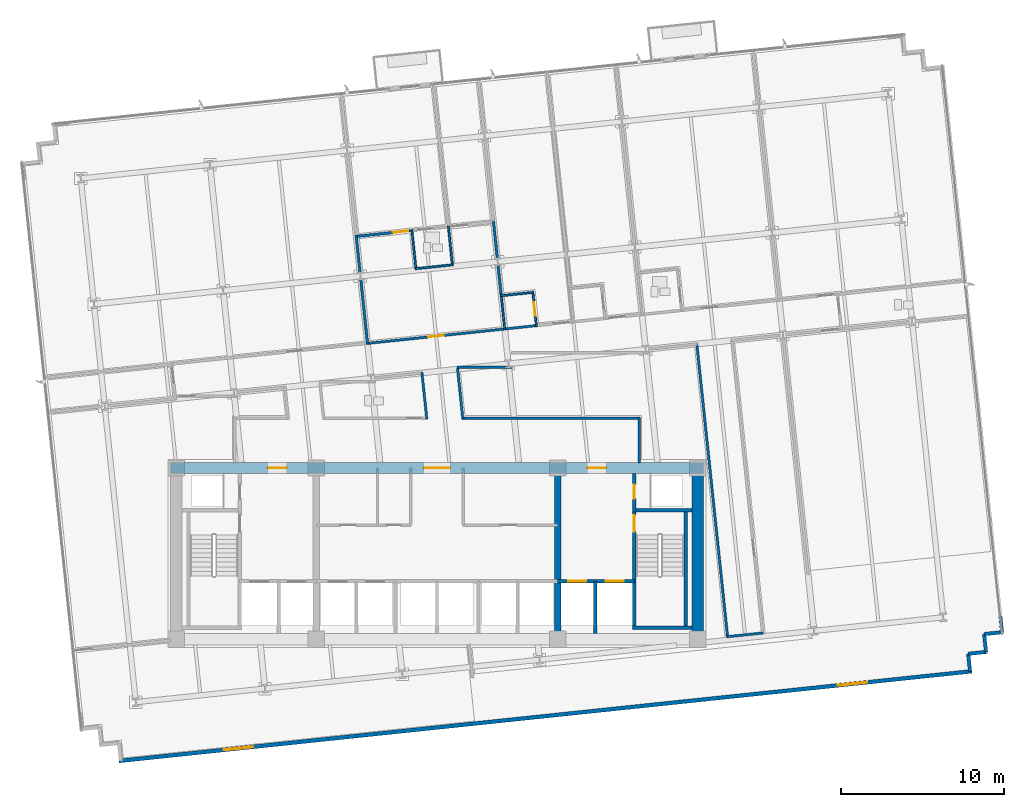
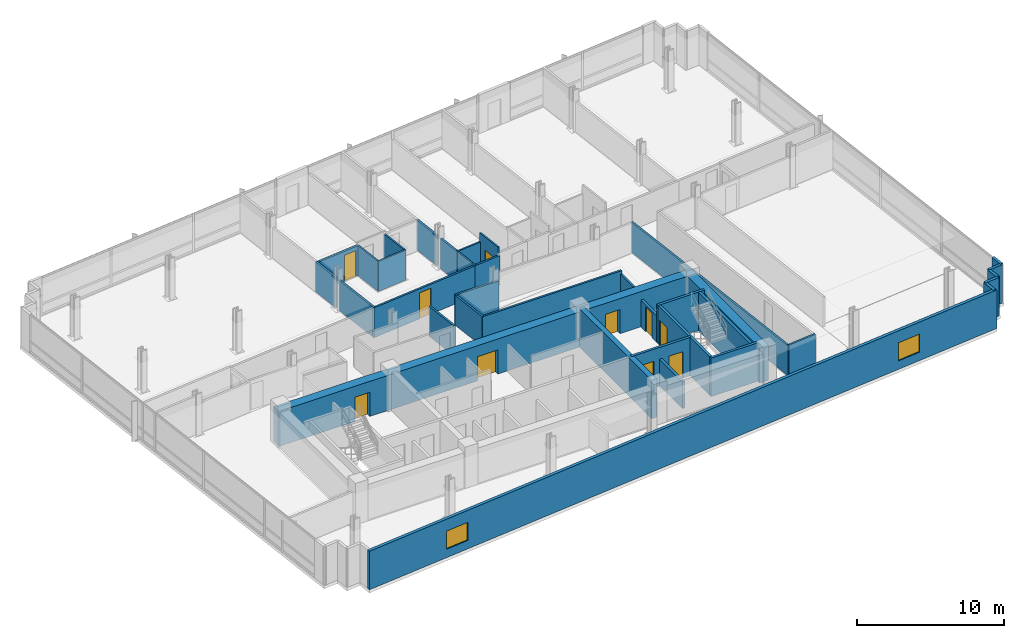
# One storey, part 11 of 17: 36 walls, 10 doors, 2 windows, 12 openings.
"""IFC4 building model written with IfcOpenShell, lengths in metres."""

import ifcopenshell
import ifcopenshell.guid

model = None  # the IFC model being written
_history = None  # IfcOwnerHistory: only IFC2X3 demands one
_inside = {}  # id of a spatial element -> (the spatial element, [elements in it])
_under = {}  # id of a project, library or spatial element -> (it, [spatial elements below it])
_declared = {}  # id of a project -> (the project, [libraries it declares])
_typed = {}  # id of a type object -> (the type object, [elements of that type])
_made_of = {}  # id of a material, layer set ... -> (it, [elements and type objects made of it])


def new_model(schema):
    """Start an empty IFC model of exactly this schema.

    Asked for "IFC4X3", IfcOpenShell would pick the latest addendum, in which some entities
    have other attributes; the version numbers below select the first issue.
    IFC2X3 requires an IfcOwnerHistory on every rooted entity: one is made here for all.
    """
    global model, _history
    if schema == "IFC4X3":
        model = ifcopenshell.file(schema_version=(4, 3, 0, 0))
    else:
        model = ifcopenshell.file(schema=schema)
    _inside.clear()
    _under.clear()
    _declared.clear()
    _typed.clear()
    _made_of.clear()
    _history = None
    if model.schema == "IFC2X3":
        org = make("IfcOrganization", Name="unknown")
        user = make(
            "IfcPersonAndOrganization",
            ThePerson=make("IfcPerson", FamilyName="unknown"),
            TheOrganization=org,
        )
        app = make(
            "IfcApplication",
            ApplicationDeveloper=org,
            Version="unknown",
            ApplicationFullName="unknown",
            ApplicationIdentifier="unknown",
        )
        _history = make(
            "IfcOwnerHistory",
            OwningUser=user,
            OwningApplication=app,
            ChangeAction="ADDED",
            CreationDate=0,
        )
    return model


def make(cls, **values):
    """One entity of the class cls with the attributes given. An attribute that is None is left unset."""
    return model.create_entity(
        cls, **{name: value for name, value in values.items() if value is not None}
    )


def rooted(cls, **values):
    """An entity with a GlobalId (a new one), such as an element, a storey or a relation."""
    return make(cls, GlobalId=ifcopenshell.guid.new(), OwnerHistory=_history, **values)


def si_unit(unit_type, name, prefix=None):
    """IfcSIUnit, for example si_unit("LENGTHUNIT", "METRE", prefix="MILLI")."""
    return make("IfcSIUnit", UnitType=unit_type, Prefix=prefix, Name=name)


def assignment(units):
    """IfcUnitAssignment: the units of a project."""
    return None if units is None else make("IfcUnitAssignment", Units=units)


def point(xyz):
    """IfcCartesianPoint."""
    return None if xyz is None else make("IfcCartesianPoint", Coordinates=xyz)


def direction(xyz):
    """IfcDirection."""
    return None if xyz is None else make("IfcDirection", DirectionRatios=xyz)


def frame(location, z_axis=None, x_axis=None):
    """IfcAxis2Placement3D, a coordinate frame: its origin and axes. An axis left out is left unset."""
    return make(
        "IfcAxis2Placement3D",
        Location=point(location),
        Axis=direction(z_axis),
        RefDirection=direction(x_axis),
    )


def frame_2d(location, x_axis=None):
    """IfcAxis2Placement2D, a coordinate frame in the plane: its origin and x axis."""
    return make(
        "IfcAxis2Placement2D", Location=point(location), RefDirection=direction(x_axis)
    )


def origin():
    """The frame at (0, 0, 0) with its axes left unset."""
    return frame((0.0, 0.0, 0.0))


def place(relative_to, where):
    """IfcLocalPlacement: puts the frame where relative to a parent placement (None: the world)."""
    return make(
        "IfcLocalPlacement", PlacementRelTo=relative_to, RelativePlacement=where
    )


def context(
    kind, dimensions, precision=None, world=None, true_north=None, identifier=None
):
    """IfcGeometricRepresentationContext, for example the 3D "Model" context."""
    return make(
        "IfcGeometricRepresentationContext",
        ContextIdentifier=identifier,
        ContextType=kind,
        CoordinateSpaceDimension=dimensions,
        Precision=precision,
        WorldCoordinateSystem=world,
        TrueNorth=true_north,
    )


def subcontext(parent, identifier, kind, view, scale=None):
    """IfcGeometricRepresentationSubContext, for example "Body" below "Model"."""
    return make(
        "IfcGeometricRepresentationSubContext",
        ContextIdentifier=identifier,
        ContextType=kind,
        ParentContext=parent,
        TargetScale=scale,
        TargetView=view,
    )


def project(units=None, contexts=None):
    """IfcProject with its units and contexts."""
    return rooted(
        "IfcProject",
        Name="project",
        RepresentationContexts=contexts,
        UnitsInContext=assignment(units),
    )


def spatial(cls, under=None, at=None, **own):
    """A site, building, storey or space (cls), placed at a placement, below another one or the project."""
    s = rooted(cls, ObjectPlacement=at, **own)
    if under is not None:
        _under.setdefault(under.id(), (under, []))[1].append(s)
    return s


def profile(cls, at=None, kind="AREA", **sizes):
    """A parametric profile (cls). Its sizes go by their IFC names, for example OverallWidth=200.0."""
    return make(cls, ProfileType=kind, Position=at, **sizes)


def rectangle(**sizes):
    """IfcRectangleProfileDef."""
    return profile("IfcRectangleProfileDef", **sizes)


def extrude(swept, where, along, depth):
    """IfcExtrudedAreaSolid: the profile swept, set in the frame where, extruded along a direction by depth."""
    return make(
        "IfcExtrudedAreaSolid",
        SweptArea=swept,
        Position=where,
        ExtrudedDirection=direction(along),
        Depth=depth,
    )


def shape(context_of_items, identifier, shape_type, items):
    """IfcShapeRepresentation: the items that make up one representation, for example the "Body"."""
    return make(
        "IfcShapeRepresentation",
        ContextOfItems=context_of_items,
        RepresentationIdentifier=identifier,
        RepresentationType=shape_type,
        Items=items,
    )


def material(Name=None, Category=None):
    """IfcMaterial."""
    return make("IfcMaterial", Name=Name, Category=Category)


def layer(
    of_material, thickness, ventilated=None, Name=None, Category=None, Priority=None
):
    """IfcMaterialLayer: one layer of a wall or slab, of a material (None: an air gap)."""
    return make(
        "IfcMaterialLayer",
        Material=of_material,
        LayerThickness=thickness,
        IsVentilated=ventilated,
        Name=Name,
        Category=Category,
        Priority=Priority,
    )


def layer_set(layers, Name=None):
    """IfcMaterialLayerSet."""
    return make("IfcMaterialLayerSet", MaterialLayers=layers, LayerSetName=Name)


def made_of(thing, what):
    """Note that an element or type object is made of a material, layer set ...; save() writes the relation."""
    if what is not None:
        _made_of.setdefault(what.id(), (what, []))[1].append(thing)
    return thing


def type_object(cls, material=None, **own):
    """A type object (cls), such as IfcWallType, which elements share."""
    return made_of(rooted(cls, **own), material)


def element(
    cls,
    number,
    at=None,
    inside=None,
    cuts=None,
    type_object=None,
    material=None,
    context=None,
    identifier="Body",
    shape_type=None,
    held_by="IfcProductDefinitionShape",
    body=None,
    shapes=None,
    **own,
):
    """One element of the class cls, such as IfcWall. Its Tag is "e" and its number.

    at: its placement. inside: the storey or other place that contains it. cuts: it is an
    opening in that element (IfcRelVoidsElement). A single representation is given by context,
    identifier, shape_type and body (its items); several are given by shapes. held_by: the class
    of the entity that holds the representations. save() writes the other relations.
    """
    e = rooted(cls, Tag="e%d" % number, ObjectPlacement=at, **own)
    if body is not None:
        shapes = [shape(context, identifier, shape_type, body)]
    if shapes is not None:
        e.Representation = make(held_by, Representations=shapes)
    if inside is not None:
        _inside.setdefault(inside.id(), (inside, []))[1].append(e)
    if cuts is not None:
        rooted(
            "IfcRelVoidsElement", RelatingBuildingElement=cuts, RelatedOpeningElement=e
        )
    if type_object is not None:
        _typed.setdefault(type_object.id(), (type_object, []))[1].append(e)
    return made_of(e, material)


def fill(opening, filler):
    """IfcRelFillsElement: the door or window that sits in an opening."""
    return rooted(
        "IfcRelFillsElement",
        RelatingOpeningElement=opening,
        RelatedBuildingElement=filler,
    )


def aggregate(whole, parts):
    """IfcRelAggregates: a whole, such as a stair, and the parts it consists of."""
    return rooted("IfcRelAggregates", RelatingObject=whole, RelatedObjects=parts)


def save(model, path):
    """Write the relations noted so far, then the file.

    IfcRelAggregates (storeys below a building ...), IfcRelContainedInSpatialStructure (elements
    in a storey), IfcRelDefinesByType, IfcRelAssociatesMaterial and IfcRelDeclares: one each for
    every whole, place, type object, material and project.
    """
    for whole, parts in _under.values():
        aggregate(whole, parts)
    for where, things in _inside.values():
        rooted(
            "IfcRelContainedInSpatialStructure",
            RelatedElements=things,
            RelatingStructure=where,
        )
    for kind, things in _typed.values():
        rooted("IfcRelDefinesByType", RelatedObjects=things, RelatingType=kind)
    for what, things in _made_of.values():
        rooted("IfcRelAssociatesMaterial", RelatedObjects=things, RelatingMaterial=what)
    for by, libraries in _declared.values():
        rooted("IfcRelDeclares", RelatingContext=by, RelatedDefinitions=libraries)
    model.write(path)


model = new_model("IFC4")

# Units and contexts
model_context = context("Model", 3, precision=1e-05, world=origin(), true_north=direction((0.0, 1.0)))
body_context = subcontext(model_context, "Body", "Model", "MODEL_VIEW")
ifc_project = project(units=[si_unit("LENGTHUNIT", "METRE"), si_unit("AREAUNIT", "SQUARE_METRE"), si_unit("VOLUMEUNIT", "CUBIC_METRE"), si_unit("PLANEANGLEUNIT", "RADIAN"), si_unit("MASSUNIT", "GRAM", prefix="KILO")], contexts=[model_context])

# Site, building, storey
site_placement = place(None, origin())
site = spatial("IfcSite", under=ifc_project, at=site_placement, CompositionType="ELEMENT")
building_placement = place(site_placement, origin())
building = spatial("IfcBuilding", under=site, at=building_placement, Name="Solmavex Isthmus Hotel", CompositionType="ELEMENT")
storey_placement = place(building_placement, frame((0.0, 0.0, 93.89990234375)))
storey = spatial("IfcBuildingStorey", under=building, at=storey_placement, Name="L25", CompositionType="ELEMENT", Elevation=93.89990234375)

# Wall, openings, windows
ifc_material_1 = material(Name="Precast Concrete C40/50", Category="concrete")
ifc_layer_1 = layer(ifc_material_1, 0.25)
ifc_layer_set_1 = layer_set([ifc_layer_1], Name="Precast Concrete C40/50")
wall_type_1 = type_object("IfcWallType", Name="EW-TWR-250", PredefinedType="STANDARD", material=ifc_layer_set_1)
wall_1_placement = place(storey_placement, frame((-19.504150390625, -20.4716796875, 0.0), z_axis=(0.0, 0.0, 1.0), x_axis=(0.994521743132, 0.104529911687, 0.0)))
wall_1 = element("IfcWall", 1, at=wall_1_placement, inside=storey, type_object=wall_type_1, Name="Tower Rear South Facade Wall L25", PredefinedType="STANDARD", context=body_context, shape_type="SweptSolid", body=[
    extrude(rectangle(XDim=52.60009765625, YDim=0.239990234375, at=frame_2d((26.300048828125, 0.0))), origin(), (0.0, 0.0, 1.0), 3.190185546875),
])
opening_1_placement = place(wall_1_placement, frame((6.464111328125, 0.0, 0.699951171875)))
opening_1 = element("IfcOpeningElement", 2, at=opening_1_placement, cuts=wall_1, Name="Opening WN-02", PredefinedType="OPENING", context=body_context, shape_type="SweptSolid", body=[
    extrude(rectangle(XDim=1.800048828125, YDim=1.5, at=frame_2d((0.89990234375, 0.75))), frame((0.0, 0.1298828125, 0.0), z_axis=(0.0, -1.0, 0.0), x_axis=(1.0, 0.0, 0.0)), (0.0, 0.0, 1.0), 0.260009765625),
])
opening_2_placement = place(wall_1_placement, frame((44.3359375, 0.0, 0.699951171875)))
opening_2 = element("IfcOpeningElement", 3, at=opening_2_placement, cuts=wall_1, Name="Opening WN-02", PredefinedType="OPENING", context=body_context, shape_type="SweptSolid", body=[
    extrude(rectangle(XDim=1.800048828125, YDim=1.5, at=frame_2d((0.89990234375, 0.75))), frame((0.0, 0.1298828125, 0.0), z_axis=(0.0, -1.0, 0.0), x_axis=(1.0, 0.0, 0.0)), (0.0, 0.0, 1.0), 0.260009765625),
])
ifc_material_2 = material(Name="Clear low-E laminated glass", Category="glass")
window_type = type_object("IfcWindowType", Name="WIN-TWR-1800", PartitioningType="SINGLE_PANEL", PredefinedType="WINDOW", material=ifc_material_2)
window_1_placement = place(opening_1_placement, origin())
window_1 = element("IfcWindow", 4, at=window_1_placement, inside=storey, type_object=window_type, Name="South Facade Vision Window L25-S1", OverallHeight=1.5, OverallWidth=1.800048828125, PartitioningType="SINGLE_PANEL", PredefinedType="WINDOW", context=body_context, shape_type="SweptSolid", body=[
    extrude(rectangle(XDim=1.800048828125, YDim=1.5, at=frame_2d((0.89990234375, 0.75))), frame((0.0, 0.030029296875, 0.0), z_axis=(0.0, -1.0, 0.0), x_axis=(1.0, 0.0, 0.0)), (0.0, 0.0, 1.0), 0.06005859375),
])
fill(opening_1, window_1)
window_2_placement = place(opening_2_placement, origin())
window_2 = element("IfcWindow", 5, at=window_2_placement, inside=storey, type_object=window_type, Name="South Facade Vision Window L25-S2", OverallHeight=1.5, OverallWidth=1.800048828125, PartitioningType="SINGLE_PANEL", PredefinedType="WINDOW", context=body_context, shape_type="SweptSolid", body=[
    extrude(rectangle(XDim=1.800048828125, YDim=1.5, at=frame_2d((0.89990234375, 0.75))), frame((0.0, 0.030029296875, 0.0), z_axis=(0.0, -1.0, 0.0), x_axis=(1.0, 0.0, 0.0)), (0.0, 0.0, 1.0), 0.06005859375),
])
fill(opening_2, window_2)

# Walls
wall_2_placement = place(storey_placement, frame((34.553955078125, -11.59228515625, 0.0), z_axis=(0.0, 0.0, 1.0), x_axis=(0.104556418955, -0.99451895671, 0.0)))
element("IfcWall", 6, at=wall_2_placement, inside=storey, type_object=wall_type_1, Name="Serrated Corner Facade Panel L25-21", PredefinedType="STANDARD", context=body_context, shape_type="SweptSolid", body=[
    extrude(rectangle(XDim=0.989990234375, YDim=0.219970703125, at=frame_2d((0.4951171875, 0.0))), origin(), (0.0, 0.0, 1.0), 3.190185546875),
])
for number, where, z_axis, x_axis, name in (
    (7, (34.657470703125, -12.576904296875, 0.0), (0.0, 0.0, 1.0), (-0.994521251134, -0.104534592565, 0.0), "Serrated Corner Facade Panel L25-22"),
    (8, (33.5634765625, -12.69189453125, 0.0), (0.0, 0.0, 1.0), (0.104534592565, -0.994521251134, 0.0), "Serrated Corner Facade Panel L25-23"),
    (9, (33.678466796875, -13.785888671875, 0.0), (0.0, 0.0, 1.0), (-0.994521251134, -0.104534592565, 0.0), "Serrated Corner Facade Panel L25-24"),
    (10, (32.58447265625, -13.90087890625, 0.0), (0.0, 0.0, 1.0), (0.104534592565, -0.994521251134, 0.0), "Serrated Corner Facade Panel L25-25"),
):
    element("IfcWall", number, at=place(storey_placement, frame(where, z_axis=z_axis, x_axis=x_axis)), inside=storey, type_object=wall_type_1, Name=name, PredefinedType="STANDARD", context=body_context, shape_type="SweptSolid", body=[
        extrude(rectangle(XDim=1.10009765625, YDim=0.219970703125, at=frame_2d((0.550048828125, 0.0))), origin(), (0.0, 0.0, 1.0), 3.190185546875),
    ])
ifc_material_3 = material(Name="Gypsum plasterboard lining", Category="gypsum")
ifc_layer_2 = layer(ifc_material_3, 0.159912109375)
ifc_layer_set_2 = layer_set([ifc_layer_2], Name="Gypsum plasterboard lining")
wall_type_2 = type_object("IfcWallType", Name="IW-COMP-160", PredefinedType="PARTITIONING", material=ifc_layer_set_2)
wall_3_placement = place(storey_placement, frame((-4.962158203125, 11.78515625, 0.0), z_axis=(0.0, 0.0, 1.0), x_axis=(0.104571491077, -0.994517372022, 0.0)))
element("IfcWall", 11, at=wall_3_placement, inside=storey, type_object=wall_type_2, Name="Interior Partition Wall W-L25-P033", PredefinedType="PARTITIONING", context=body_context, shape_type="SweptSolid", body=[
    extrude(rectangle(XDim=2.355712890625, YDim=0.159912109375, at=frame_2d((1.177734375, 0.0))), origin(), (0.0, 0.0, 1.0), 2.4794921875),
])
wall_4_placement = place(storey_placement, frame((-4.678955078125, 9.091796875, 0.0), z_axis=(0.0, 0.0, 1.0), x_axis=(0.104491540593, -0.994525775405, 0.0)))
element("IfcWall", 12, at=wall_4_placement, inside=storey, type_object=wall_type_2, Name="Interior Partition Wall W-L25-P034", PredefinedType="PARTITIONING", context=body_context, shape_type="SweptSolid", body=[
    extrude(rectangle(XDim=4.01171875, YDim=0.159912109375, at=frame_2d((2.005859375, 0.0))), origin(), (0.0, 0.0, 1.0), 2.4794921875),
])

# Wall, opening, door
wall_5_placement = place(storey_placement, frame((-4.993408203125, 11.699462890625, 0.0), z_axis=(0.0, 0.0, 1.0), x_axis=(0.994522955196, 0.104518379192, 0.0)))
wall_5 = element("IfcWall", 13, at=wall_5_placement, inside=storey, type_object=wall_type_2, Name="Interior Partition Wall W-L25-P038", PredefinedType="PARTITIONING", context=body_context, shape_type="SweptSolid", body=[
    extrude(rectangle(XDim=3.51318359375, YDim=0.159912109375, at=frame_2d((1.756591796875, 0.0))), origin(), (0.0, 0.0, 1.0), 2.4794921875),
])
opening_3_placement = place(wall_5_placement, frame((2.290771484375, 0.0, 0.0)))
opening_3 = element("IfcOpeningElement", 14, at=opening_3_placement, cuts=wall_5, Name="Opening ID-C095", PredefinedType="OPENING", context=body_context, shape_type="SweptSolid", body=[
    extrude(rectangle(XDim=0.949951171875, YDim=2.14990234375, at=frame_2d((0.47509765625, 1.074951171875))), frame((0.0, 0.08984375, 0.0), z_axis=(0.0, -1.0, 0.0), x_axis=(1.0, 0.0, 0.0)), (0.0, 0.0, 1.0), 0.179931640625),
])
ifc_material_4 = material(Name="Hardwood timber", Category="wood")
door_type_1 = type_object("IfcDoorType", Name="IDR-FD60-0950", OperationType="NOTDEFINED", PredefinedType="DOOR", material=ifc_material_4)
door_1_placement = place(opening_3_placement, origin())
door_1 = element("IfcDoor", 15, at=door_1_placement, inside=storey, type_object=door_type_1, Name="Ambassador Suite Bedroom Door L25-03", OperationType="SINGLE_SWING_LEFT", OverallHeight=2.14990234375, OverallWidth=0.949951171875, PredefinedType="DOOR", context=body_context, shape_type="SweptSolid", body=[
    extrude(rectangle(XDim=0.949951171875, YDim=2.14990234375, at=frame_2d((0.47509765625, 1.074951171875))), frame((0.0, 0.02490234375, 0.0), z_axis=(0.0, -1.0, 0.0), x_axis=(1.0, 0.0, 0.0)), (0.0, 0.0, 1.0), 0.050048828125),
])
fill(opening_3, door_1)

# Walls
wall_6_placement = place(storey_placement, frame((3.4619140625, 12.62841796875, 0.0), z_axis=(0.0, 0.0, 1.0), x_axis=(0.104558463094, -0.994518741802, 0.0)))
element("IfcWall", 16, at=wall_6_placement, inside=storey, type_object=wall_type_2, Name="Interior Partition Wall W-L25-P043", PredefinedType="PARTITIONING", context=body_context, shape_type="SweptSolid", body=[
    extrude(rectangle(XDim=2.31396484375, YDim=0.159912109375, at=frame_2d((1.156982421875, 0.0))), origin(), (0.0, 0.0, 1.0), 2.4794921875),
])
wall_7_placement = place(storey_placement, frame((3.740478515625, 9.976806640625, 0.0), z_axis=(0.0, 0.0, 1.0), x_axis=(0.104532575691, -0.994521463127, 0.0)))
element("IfcWall", 17, at=wall_7_placement, inside=storey, type_object=wall_type_2, Name="Interior Partition Wall W-L25-P044", PredefinedType="PARTITIONING", context=body_context, shape_type="SweptSolid", body=[
    extrude(rectangle(XDim=2.00390625, YDim=0.159912109375, at=frame_2d((1.001953125, 0.0))), origin(), (0.0, 0.0, 1.0), 2.4794921875),
])

# Wall, opening, door
ifc_layer_3 = layer(ifc_material_3, 0.14990234375)
ifc_layer_set_3 = layer_set([ifc_layer_3], Name="Gypsum plasterboard lining")
wall_type_3 = type_object("IfcWallType", Name="IW-CORR-150", PredefinedType="PARTITIONING", material=ifc_layer_set_3)
wall_8_placement = place(storey_placement, frame((-4.345458984375, 5.13330078125, 0.0), z_axis=(0.0, 0.0, 1.0), x_axis=(0.994521717123, 0.104530159146, 0.0)))
wall_8 = element("IfcWall", 18, at=wall_8_placement, inside=storey, type_object=wall_type_3, Name="Interior Partition Wall W-L25-P002", PredefinedType="PARTITIONING", context=body_context, shape_type="SweptSolid", body=[
    extrude(rectangle(XDim=8.630126953125, YDim=0.14990234375, at=frame_2d((4.31494140625, 0.0))), origin(), (0.0, 0.0, 1.0), 2.4794921875),
])
opening_4_placement = place(wall_8_placement, frame((3.840087890625, 0.0, 0.0)))
opening_4 = element("IfcOpeningElement", 19, at=opening_4_placement, cuts=wall_8, Name="Opening ID-C095", PredefinedType="OPENING", context=body_context, shape_type="SweptSolid", body=[
    extrude(rectangle(XDim=0.949951171875, YDim=2.14990234375, at=frame_2d((0.47509765625, 1.074951171875))), frame((0.0, 0.0849609375, 0.0), z_axis=(0.0, -1.0, 0.0), x_axis=(1.0, 0.0, 0.0)), (0.0, 0.0, 1.0), 0.169921875),
])
door_2_placement = place(opening_4_placement, origin())
door_2 = element("IfcDoor", 20, at=door_2_placement, inside=storey, type_object=door_type_1, Name="Ambassador Suite Reception Foyer Door L25-02", OperationType="SINGLE_SWING_RIGHT", OverallHeight=2.14990234375, OverallWidth=0.949951171875, PredefinedType="DOOR", context=body_context, shape_type="SweptSolid", body=[
    extrude(rectangle(XDim=0.949951171875, YDim=2.14990234375, at=frame_2d((0.47509765625, 1.074951171875))), frame((0.0, 0.02490234375, 0.0), z_axis=(0.0, -1.0, 0.0), x_axis=(1.0, 0.0, 0.0)), (0.0, 0.0, 1.0), 0.050048828125),
])
fill(opening_4, door_2)

# Walls
wall_9_placement = place(storey_placement, frame((4.07421875, 6.01806640625, 0.0), z_axis=(0.0, 0.0, 1.0), x_axis=(0.994520650134, 0.1045403102, 0.0)))
element("IfcWall", 21, at=wall_9_placement, inside=storey, type_object=wall_type_3, Name="Interior Partition Wall W-L25-P004", PredefinedType="PARTITIONING", context=body_context, shape_type="SweptSolid", body=[
    extrude(rectangle(XDim=2.111083984375, YDim=0.14990234375, at=frame_2d((1.0556640625, 0.0))), origin(), (0.0, 0.0, 1.0), 2.4794921875),
])
wall_10_placement = place(storey_placement, frame((-0.626708984375, 0.51025390625, 0.0), z_axis=(0.0, 0.0, 1.0), x_axis=(-0.104569907609, 0.994517538519, 0.0)))
element("IfcWall", 22, at=wall_10_placement, inside=storey, type_object=wall_type_3, Name="Interior Partition Wall W-L25-P013", PredefinedType="PARTITIONING", context=body_context, shape_type="SweptSolid", body=[
    extrude(rectangle(XDim=2.87646484375, YDim=0.14990234375, at=frame_2d((1.438232421875, 0.0))), origin(), (0.0, 0.0, 1.0), 2.4794921875),
])
wall_11_placement = place(storey_placement, frame((20.010498046875, -12.6181640625, 0.0), z_axis=(0.0, 0.0, 1.0), x_axis=(-0.994522758079, -0.104520254794, 0.0)))
element("IfcWall", 23, at=wall_11_placement, inside=storey, type_object=wall_type_3, Name="Interior Partition Wall W-L25-P024", PredefinedType="PARTITIONING", context=body_context, shape_type="SweptSolid", body=[
    extrude(rectangle(XDim=2.239990234375, YDim=0.14990234375, at=frame_2d((1.1201171875, 0.0))), origin(), (0.0, 0.0, 1.0), 2.55322265625),
])
wall_12_placement = place(storey_placement, frame((17.82666015625, -12.887939453125, 0.0), z_axis=(0.0, 0.0, 1.0), x_axis=(-0.104523559353, 0.994522410778, 0.0)))
element("IfcWall", 24, at=wall_12_placement, inside=storey, type_object=wall_type_3, Name="Interior Partition Wall W-L25-P025", PredefinedType="PARTITIONING", context=body_context, shape_type="SweptSolid", body=[
    extrude(rectangle(XDim=18.130126953125, YDim=0.14990234375, at=frame_2d((9.06494140625, 0.0))), origin(), (0.0, 0.0, 1.0), 2.4794921875),
])
wall_13_placement = place(storey_placement, frame((4.635498046875, 3.673583984375, 0.0), z_axis=(0.0, 0.0, 1.0), x_axis=(-1.0, 0.0, 0.0)))
element("IfcWall", 25, at=wall_13_placement, inside=storey, type_object=wall_type_3, Name="Interior Partition Wall W-L25-P028", PredefinedType="PARTITIONING", context=body_context, shape_type="SweptSolid", body=[
    extrude(rectangle(XDim=3.41064453125, YDim=0.14990234375, at=frame_2d((1.705322265625, 0.0))), origin(), (0.0, 0.0, 1.0), 2.4794921875),
])
wall_14_placement = place(storey_placement, frame((1.260498046875, 3.600830078125, 0.0), z_axis=(0.0, 0.0, 1.0), x_axis=(0.104488483176, -0.994526096633, 0.0)))
element("IfcWall", 26, at=wall_14_placement, inside=storey, type_object=wall_type_3, Name="Interior Partition Wall W-L25-P029", PredefinedType="PARTITIONING", context=body_context, shape_type="SweptSolid", body=[
    extrude(rectangle(XDim=3.107666015625, YDim=0.14990234375, at=frame_2d((1.5537109375, 0.0))), origin(), (0.0, 0.0, 1.0), 2.4794921875),
])
wall_15_placement = place(storey_placement, frame((1.541015625, 0.550048828125, 0.0), z_axis=(0.0, 0.0, 1.0), x_axis=(1.0, 0.0, 0.0)))
element("IfcWall", 27, at=wall_15_placement, inside=storey, type_object=wall_type_3, Name="Interior Partition Wall W-L25-P030", PredefinedType="PARTITIONING", context=body_context, shape_type="SweptSolid", body=[
    extrude(rectangle(XDim=10.89892578125, YDim=0.14990234375, at=frame_2d((5.449462890625, 0.0))), origin(), (0.0, 0.0, 1.0), 2.4794921875),
])
wall_16_placement = place(storey_placement, frame((12.39990234375, 0.590087890625, 0.0), z_axis=(0.0, 0.0, 1.0), x_axis=(0.0, -1.0, 0.0)))
element("IfcWall", 28, at=wall_16_placement, inside=storey, type_object=wall_type_3, Name="Interior Partition Wall W-L25-P031", PredefinedType="PARTITIONING", context=body_context, shape_type="SweptSolid", body=[
    extrude(rectangle(XDim=2.780029296875, YDim=0.14990234375, at=frame_2d((1.39013671875, 0.0))), origin(), (0.0, 0.0, 1.0), 2.22509765625),
])
ifc_layer_4 = layer(ifc_material_3, 0.1201171875)
ifc_layer_set_4 = layer_set([ifc_layer_4], Name="Gypsum plasterboard lining")
wall_type_4 = type_object("IfcWallType", Name="IW-PART-120", PredefinedType="PARTITIONING", material=ifc_layer_set_4)
wall_17_placement = place(storey_placement, frame((-1.54345703125, 12.102294921875, 0.0), z_axis=(0.0, 0.0, 1.0), x_axis=(0.104486049741, -0.994526352295, 0.0)))
element("IfcWall", 29, at=wall_17_placement, inside=storey, type_object=wall_type_4, Name="Interior Partition Wall W-L25-P040", PredefinedType="PARTITIONING", context=body_context, shape_type="SweptSolid", body=[
    extrude(rectangle(XDim=2.429931640625, YDim=0.1201171875, at=frame_2d((1.21484375, 0.0))), origin(), (0.0, 0.0, 1.0), 2.4794921875),
])
wall_18_placement = place(storey_placement, frame((-1.33349609375, 9.72119140625, 0.0), z_axis=(0.0, 0.0, 1.0), x_axis=(0.994527822882, 0.104472051355, 0.0)))
element("IfcWall", 30, at=wall_18_placement, inside=storey, type_object=wall_type_4, Name="Interior Partition Wall W-L25-P041", PredefinedType="PARTITIONING", context=body_context, shape_type="SweptSolid", body=[
    extrude(rectangle(XDim=2.329833984375, YDim=0.1201171875, at=frame_2d((1.1650390625, 0.0))), origin(), (0.0, 0.0, 1.0), 2.4794921875),
])
wall_19_placement = place(storey_placement, frame((0.9482421875, 9.920654296875, 0.0), z_axis=(0.0, 0.0, 1.0), x_axis=(-0.104585418696, 0.994515907463, 0.0)))
element("IfcWall", 31, at=wall_19_placement, inside=storey, type_object=wall_type_4, Name="Interior Partition Wall W-L25-P042", PredefinedType="PARTITIONING", context=body_context, shape_type="SweptSolid", body=[
    extrude(rectangle(XDim=2.43017578125, YDim=0.1201171875, at=frame_2d((1.215087890625, 0.0))), origin(), (0.0, 0.0, 1.0), 2.4794921875),
])
wall_20_placement = place(storey_placement, frame((3.932861328125, 8.14697265625, 0.0), z_axis=(0.0, 0.0, 1.0), x_axis=(0.104544343878, -0.994520226121, 0.0)))
element("IfcWall", 32, at=wall_20_placement, inside=storey, type_object=wall_type_4, Name="Interior Partition Wall W-L25-P045", PredefinedType="PARTITIONING", context=body_context, shape_type="SweptSolid", body=[
    extrude(rectangle(XDim=2.171875, YDim=0.1201171875, at=frame_2d((1.0859375, 0.0))), origin(), (0.0, 0.0, 1.0), 2.4794921875),
])

# Wall, opening, door
wall_21_placement = place(storey_placement, frame((6.096435546875, 6.1904296875, 0.0), z_axis=(0.0, 0.0, 1.0), x_axis=(-0.104529659321, 0.994521769657, 0.0)))
wall_21 = element("IfcWall", 33, at=wall_21_placement, inside=storey, type_object=wall_type_4, Name="Interior Partition Wall W-L25-P050", PredefinedType="PARTITIONING", context=body_context, shape_type="SweptSolid", body=[
    extrude(rectangle(XDim=2.130126953125, YDim=0.1201171875, at=frame_2d((1.06494140625, 0.0))), origin(), (0.0, 0.0, 1.0), 3.190185546875),
])
opening_5_placement = place(wall_21_placement, frame((0.639892578125, 0.0, 0.0)))
opening_5 = element("IfcOpeningElement", 34, at=opening_5_placement, cuts=wall_21, Name="Opening ID-U085", PredefinedType="OPENING", context=body_context, shape_type="SweptSolid", body=[
    extrude(rectangle(XDim=0.85009765625, YDim=2.10009765625, at=frame_2d((0.425048828125, 1.050048828125))), frame((0.0, 0.070068359375, 0.0), z_axis=(0.0, -1.0, 0.0), x_axis=(1.0, 0.0, 0.0)), (0.0, 0.0, 1.0), 0.14013671875),
])
door_type_2 = type_object("IfcDoorType", Name="IDR-UNR-0850", OperationType="NOTDEFINED", PredefinedType="DOOR", material=ifc_material_4)
door_3_placement = place(opening_5_placement, frame((0.85009765625, 0.0, 0.0), z_axis=(0.0, 0.0, 1.0), x_axis=(-1.0, 0.0, 0.0)))
door_3 = element("IfcDoor", 35, at=door_3_placement, inside=storey, type_object=door_type_2, Name="En-suite Bathroom Door L25-07", OperationType="SINGLE_SWING_LEFT", OverallHeight=2.10009765625, OverallWidth=0.85009765625, PredefinedType="DOOR", context=body_context, shape_type="SweptSolid", body=[
    extrude(rectangle(XDim=0.85009765625, YDim=2.10009765625, at=frame_2d((0.425048828125, 1.050048828125))), frame((0.0, 0.02490234375, 0.0), z_axis=(0.0, -1.0, 0.0), x_axis=(1.0, 0.0, 0.0)), (0.0, 0.0, 1.0), 0.050048828125),
])
fill(opening_5, door_3)

# Wall
wall_22_placement = place(storey_placement, frame((5.917724609375, 8.273193359375, 0.0), z_axis=(0.0, 0.0, 1.0), x_axis=(-0.994521279075, -0.104534326742, 0.0)))
element("IfcWall", 36, at=wall_22_placement, inside=storey, type_object=wall_type_4, Name="Interior Partition Wall W-L25-P051", PredefinedType="PARTITIONING", context=body_context, shape_type="SweptSolid", body=[
    extrude(rectangle(XDim=2.027099609375, YDim=0.1201171875, at=frame_2d((1.013671875, 0.0))), origin(), (0.0, 0.0, 1.0), 2.4794921875),
])

# Wall, opening, door
ifc_material_5 = material(Name="Concrete C40/50", Category="concrete")
ifc_layer_5 = layer(ifc_material_5, 0.199951171875)
ifc_layer_set_5 = layer_set([ifc_layer_5], Name="Concrete C40/50")
wall_type_5 = type_object("IfcWallType", Name="IW-SHAFT-200", PredefinedType="PARTITIONING", material=ifc_layer_set_5)
wall_23_placement = place(storey_placement, frame((12.10009765625, -5.199951171875, 0.0), z_axis=(0.0, 0.0, 1.0), x_axis=(0.0, 1.0, 0.0)))
wall_23 = element("IfcWall", 37, at=wall_23_placement, inside=storey, type_object=wall_type_5, Name="Interior Partition Wall W-L25-RSE-W", PredefinedType="PARTITIONING", context=body_context, shape_type="SweptSolid", body=[
    extrude(rectangle(XDim=2.349853515625, YDim=0.199951171875, at=frame_2d((1.1748046875, 0.0))), origin(), (0.0, 0.0, 1.0), 2.22509765625),
])
opening_6_placement = place(wall_23_placement, frame((0.824951171875, 0.0, 0.0)))
opening_6 = element("IfcOpeningElement", 38, at=opening_6_placement, cuts=wall_23, Name="Opening ID-R085", PredefinedType="OPENING", context=body_context, shape_type="SweptSolid", body=[
    extrude(rectangle(XDim=0.85009765625, YDim=2.050048828125, at=frame_2d((0.425048828125, 1.02490234375))), frame((0.0, 0.10986328125, 0.0), z_axis=(0.0, -1.0, 0.0), x_axis=(1.0, 0.0, 0.0)), (0.0, 0.0, 1.0), 0.219970703125),
])
ifc_material_6 = material(Name="Steel ASTM A500 Grade C", Category="steel")
door_type_3 = type_object("IfcDoorType", Name="IDR-FD60-0850", OperationType="NOTDEFINED", PredefinedType="DOOR", material=ifc_material_6)
door_4_placement = place(opening_6_placement, frame((0.85009765625, 0.0, 0.0), z_axis=(0.0, 0.0, 1.0), x_axis=(-1.0, 0.0, 0.0)))
door_4 = element("IfcDoor", 39, at=door_4_placement, inside=storey, type_object=door_type_3, Name="Mechanical Riser Door L25", OperationType="SINGLE_SWING_LEFT", OverallHeight=2.050048828125, OverallWidth=0.85009765625, PredefinedType="DOOR", context=body_context, shape_type="SweptSolid", body=[
    extrude(rectangle(XDim=0.85009765625, YDim=2.050048828125, at=frame_2d((0.425048828125, 1.02490234375))), frame((0.0, 0.02490234375, 0.0), z_axis=(0.0, -1.0, 0.0), x_axis=(1.0, 0.0, 0.0)), (0.0, 0.0, 1.0), 0.050048828125),
])
fill(opening_6, door_4)

# Wall, openings, doors
wall_24_placement = place(storey_placement, frame((7.39990234375, -9.449951171875, 0.0), z_axis=(0.0, 0.0, 1.0), x_axis=(1.0, 0.0, 0.0)))
wall_24 = element("IfcWall", 40, at=wall_24_placement, inside=storey, type_object=wall_type_5, Name="Interior Partition Wall W-L25-FFLE-S", PredefinedType="PARTITIONING", context=body_context, shape_type="SweptSolid", body=[
    extrude(rectangle(XDim=4.7001953125, YDim=0.199951171875, at=frame_2d((2.35009765625, 0.0))), origin(), (0.0, 0.0, 1.0), 3.190185546875),
])
opening_7_placement = place(wall_24_placement, frame((2.949951171875, 0.0, 0.0)))
opening_7 = element("IfcOpeningElement", 41, at=opening_7_placement, cuts=wall_24, Name="Opening LD-FF", PredefinedType="OPENING", context=body_context, shape_type="SweptSolid", body=[
    extrude(rectangle(XDim=1.10009765625, YDim=2.199951171875, at=frame_2d((0.550048828125, 1.10009765625))), frame((0.0, 0.10986328125, 0.0), z_axis=(0.0, -1.0, 0.0), x_axis=(1.0, 0.0, 0.0)), (0.0, 0.0, 1.0), 0.219970703125),
])
opening_8_placement = place(wall_24_placement, frame((0.64990234375, 0.0, 0.0)))
opening_8 = element("IfcOpeningElement", 42, at=opening_8_placement, cuts=wall_24, Name="Opening LD-SV", PredefinedType="OPENING", context=body_context, shape_type="SweptSolid", body=[
    extrude(rectangle(XDim=1.10009765625, YDim=2.199951171875, at=frame_2d((0.550048828125, 1.10009765625))), frame((0.0, 0.10986328125, 0.0), z_axis=(0.0, -1.0, 0.0), x_axis=(1.0, 0.0, 0.0)), (0.0, 0.0, 1.0), 0.219970703125),
])
ifc_material_7 = material(Name="Stainless steel 316", Category="steel")
door_type_4 = type_object("IfcDoorType", Name="LDR-FF-1100", OperationType="NOTDEFINED", PredefinedType="DOOR", material=ifc_material_7)
door_5_placement = place(opening_7_placement, origin())
door_5 = element("IfcDoor", 43, at=door_5_placement, inside=storey, type_object=door_type_4, Name="Lift Landing Door FFL-2 L25", OperationType="SLIDING_TO_LEFT", OverallHeight=2.199951171875, OverallWidth=1.10009765625, PredefinedType="DOOR", context=body_context, shape_type="SweptSolid", body=[
    extrude(rectangle(XDim=1.10009765625, YDim=2.199951171875, at=frame_2d((0.550048828125, 1.10009765625))), frame((0.0, 0.02490234375, 0.0), z_axis=(0.0, -1.0, 0.0), x_axis=(1.0, 0.0, 0.0)), (0.0, 0.0, 1.0), 0.050048828125),
])
fill(opening_7, door_5)
door_type_5 = type_object("IfcDoorType", Name="LDR-SV-1100", OperationType="NOTDEFINED", PredefinedType="DOOR", material=ifc_material_7)
door_6_placement = place(opening_8_placement, origin())
door_6 = element("IfcDoor", 44, at=door_6_placement, inside=storey, type_object=door_type_5, Name="Lift Landing Door SVL-2 L25", OperationType="SLIDING_TO_RIGHT", OverallHeight=2.199951171875, OverallWidth=1.10009765625, PredefinedType="DOOR", context=body_context, shape_type="SweptSolid", body=[
    extrude(rectangle(XDim=1.10009765625, YDim=2.199951171875, at=frame_2d((0.550048828125, 1.10009765625))), frame((0.0, 0.02490234375, 0.0), z_axis=(0.0, -1.0, 0.0), x_axis=(1.0, 0.0, 0.0)), (0.0, 0.0, 1.0), 0.050048828125),
])
fill(opening_8, door_6)

# Walls
wall_25_placement = place(storey_placement, frame((9.699951171875, -12.64990234375, 0.0), z_axis=(0.0, 0.0, 1.0), x_axis=(0.0, 1.0, 0.0)))
element("IfcWall", 45, at=wall_25_placement, inside=storey, type_object=wall_type_5, Name="Interior Partition Wall W-L25-FFLE-M", PredefinedType="PARTITIONING", context=body_context, shape_type="SweptSolid", body=[
    extrude(rectangle(XDim=3.199951171875, YDim=0.199951171875, at=frame_2d((1.60009765625, 0.0))), origin(), (0.0, 0.0, 1.0), 2.22509765625),
])
ifc_material_8 = material(Name="Concrete C60/75", Category="concrete")
ifc_layer_6 = layer(ifc_material_8, 0.39990234375)
ifc_layer_set_6 = layer_set([ifc_layer_6], Name="Concrete C60/75")
wall_type_6 = type_object("IfcWallType", Name="WALL-CW-400M", PredefinedType="SHEAR", material=ifc_layer_set_6)
wall_26_placement = place(storey_placement, frame((7.39990234375, -12.64990234375, 0.0), z_axis=(0.0, 0.0, 1.0), x_axis=(0.0, 1.0, 0.0)))
element("IfcWall", 46, at=wall_26_placement, inside=storey, type_object=wall_type_6, Name="Core Cross Shear Wall C2 L25", PredefinedType="SHEAR", context=body_context, shape_type="SweptSolid", body=[
    extrude(rectangle(XDim=9.7998046875, YDim=0.39990234375, at=frame_2d((4.89990234375, 0.0))), origin(), (0.0, 0.0, 1.0), 3.190185546875),
])

# Wall, openings, doors
ifc_layer_7 = layer(ifc_material_8, 0.699951171875)
ifc_layer_set_7 = layer_set([ifc_layer_7], Name="Concrete C60/75")
wall_type_7 = type_object("IfcWallType", Name="WALL-CW-700", PredefinedType="SHEAR", material=ifc_layer_set_7)
wall_27_placement = place(storey_placement, frame((-16.35009765625, -2.5, 0.0), z_axis=(0.0, 0.0, 1.0), x_axis=(1.0, 0.0, 0.0)))
wall_27 = element("IfcWall", 47, at=wall_27_placement, inside=storey, type_object=wall_type_7, Name="Core Shear Wall North L25", PredefinedType="SHEAR", context=body_context, shape_type="SweptSolid", body=[
    extrude(rectangle(XDim=32.7001953125, YDim=0.699951171875, at=frame_2d((16.35009765625, 0.0))), origin(), (0.0, 0.0, 1.0), 2.91015625),
])
opening_9_placement = place(wall_27_placement, frame((5.97509765625, 0.0, 0.0)))
opening_9 = element("IfcOpeningElement", 48, at=opening_9_placement, cuts=wall_27, Name="Opening ID-F915", PredefinedType="OPENING", context=body_context, shape_type="SweptSolid", body=[
    extrude(rectangle(XDim=1.14990234375, YDim=2.0, at=frame_2d((0.574951171875, 1.0))), frame((0.0, 0.35986328125, 0.0), z_axis=(0.0, -1.0, 0.0), x_axis=(1.0, 0.0, 0.0)), (0.0, 0.0, 1.0), 0.719970703125),
])
opening_10_placement = place(wall_27_placement, frame((15.550048828125, 0.0, 0.0)))
opening_10 = element("IfcOpeningElement", 49, at=opening_10_placement, cuts=wall_27, Name="Opening ID-F960", PredefinedType="OPENING", context=body_context, shape_type="SweptSolid", body=[
    extrude(rectangle(XDim=1.60009765625, YDim=2.0, at=frame_2d((0.800048828125, 1.0))), frame((0.0, 0.35986328125, 0.0), z_axis=(0.0, -1.0, 0.0), x_axis=(1.0, 0.0, 0.0)), (0.0, 0.0, 1.0), 0.719970703125),
])
opening_11_placement = place(wall_27_placement, frame((25.574951171875, 0.0, 0.0)))
opening_11 = element("IfcOpeningElement", 50, at=opening_11_placement, cuts=wall_27, Name="Opening ID-F915", PredefinedType="OPENING", context=body_context, shape_type="SweptSolid", body=[
    extrude(rectangle(XDim=1.14990234375, YDim=2.0, at=frame_2d((0.574951171875, 1.0))), frame((0.0, 0.35986328125, 0.0), z_axis=(0.0, -1.0, 0.0), x_axis=(1.0, 0.0, 0.0)), (0.0, 0.0, 1.0), 0.719970703125),
])
door_type_6 = type_object("IfcDoorType", Name="IDR-FD90-1150C", OperationType="NOTDEFINED", PredefinedType="DOOR", material=ifc_material_6)
door_7_placement = place(opening_9_placement, origin())
door_7 = element("IfcDoor", 51, at=door_7_placement, inside=storey, type_object=door_type_6, Name="Firefighting Lobby West Exit Door L25", OperationType="SINGLE_SWING_LEFT", OverallHeight=2.0, OverallWidth=1.14990234375, PredefinedType="DOOR", context=body_context, shape_type="SweptSolid", body=[
    extrude(rectangle(XDim=1.14990234375, YDim=2.0, at=frame_2d((0.574951171875, 1.0))), frame((0.0, 0.02490234375, 0.0), z_axis=(0.0, -1.0, 0.0), x_axis=(1.0, 0.0, 0.0)), (0.0, 0.0, 1.0), 0.050048828125),
])
fill(opening_9, door_7)
door_8_placement = place(opening_11_placement, origin())
door_8 = element("IfcDoor", 52, at=door_8_placement, inside=storey, type_object=door_type_6, Name="Firefighting Lobby East Exit Door L25", OperationType="SINGLE_SWING_RIGHT", OverallHeight=2.0, OverallWidth=1.14990234375, PredefinedType="DOOR", context=body_context, shape_type="SweptSolid", body=[
    extrude(rectangle(XDim=1.14990234375, YDim=2.0, at=frame_2d((0.574951171875, 1.0))), frame((0.0, 0.02490234375, 0.0), z_axis=(0.0, -1.0, 0.0), x_axis=(1.0, 0.0, 0.0)), (0.0, 0.0, 1.0), 0.050048828125),
])
fill(opening_11, door_8)
door_type_7 = type_object("IfcDoorType", Name="IDR-FD90-1600C", OperationType="NOTDEFINED", PredefinedType="DOOR", material=ifc_material_6)
door_9_placement = place(opening_10_placement, origin())
door_9 = element("IfcDoor", 53, at=door_9_placement, inside=storey, type_object=door_type_7, Name="Central Lift Lobby Door L25", OperationType="DOUBLE_DOOR_SINGLE_SWING", OverallHeight=2.0, OverallWidth=1.60009765625, PredefinedType="DOOR", context=body_context, shape_type="SweptSolid", body=[
    extrude(rectangle(XDim=1.60009765625, YDim=2.0, at=frame_2d((0.800048828125, 1.0))), frame((0.0, 0.02490234375, 0.0), z_axis=(0.0, -1.0, 0.0), x_axis=(1.0, 0.0, 0.0)), (0.0, 0.0, 1.0), 0.050048828125),
])
fill(opening_10, door_9)

# Walls
wall_28_placement = place(storey_placement, frame((16.0, -12.64990234375, 0.0), z_axis=(0.0, 0.0, 1.0), x_axis=(0.0, 1.0, 0.0)))
element("IfcWall", 54, at=wall_28_placement, inside=storey, type_object=wall_type_7, Name="Core Shear Wall East L25", PredefinedType="SHEAR", context=body_context, shape_type="SweptSolid", body=[
    extrude(rectangle(XDim=9.7998046875, YDim=0.699951171875, at=frame_2d((4.89990234375, 0.0))), origin(), (0.0, 0.0, 1.0), 2.91015625),
])
ifc_layer_8 = layer(ifc_material_5, 0.199951171875)
ifc_layer_set_8 = layer_set([ifc_layer_8], Name="Concrete C40/50")
wall_type_8 = type_object("IfcWallType", Name="WALL-SW-200", PredefinedType="SOLIDWALL", material=ifc_layer_set_8)
for number, where, z_axis, x_axis, name in (
    (55, (12.0, -12.300048828125, 0.0), (0.0, 0.0, 1.0), (1.0, 0.0, 0.0), "Stairwell Structural Wall SW-L25-ST2-S"),
    (56, (12.0, -5.10009765625, 0.0), (0.0, 0.0, 1.0), (1.0, 0.0, 0.0), "Stairwell Structural Wall SW-L25-ST2-N"),
):
    element("IfcWall", number, at=place(storey_placement, frame(where, z_axis=z_axis, x_axis=x_axis)), inside=storey, type_object=wall_type_8, Name=name, PredefinedType="SOLIDWALL", context=body_context, shape_type="SweptSolid", body=[
        extrude(rectangle(XDim=3.64990234375, YDim=0.199951171875, at=frame_2d((1.824951171875, 0.0))), origin(), (0.0, 0.0, 1.0), 3.190185546875),
    ])

# Wall, opening, door
wall_29_placement = place(storey_placement, frame((12.10009765625, -12.199951171875, 0.0), z_axis=(0.0, 0.0, 1.0), x_axis=(0.0, 1.0, 0.0)))
wall_29 = element("IfcWall", 57, at=wall_29_placement, inside=storey, type_object=wall_type_8, Name="Stairwell Structural Wall SW-L25-ST2-W", PredefinedType="SOLIDWALL", context=body_context, shape_type="SweptSolid", body=[
    extrude(rectangle(XDim=7.0, YDim=0.199951171875, at=frame_2d((3.5, 0.0))), origin(), (0.0, 0.0, 1.0), 3.190185546875),
])
opening_12_placement = place(wall_29_placement, frame((5.800048828125, 0.0, 0.0)))
opening_12 = element("IfcOpeningElement", 58, at=opening_12_placement, cuts=wall_29, Name="Opening ID-F100", PredefinedType="OPENING", context=body_context, shape_type="SweptSolid", body=[
    extrude(rectangle(XDim=1.0, YDim=2.10009765625, at=frame_2d((0.5, 1.050048828125))), frame((0.0, 0.10986328125, 0.0), z_axis=(0.0, -1.0, 0.0), x_axis=(1.0, 0.0, 0.0)), (0.0, 0.0, 1.0), 0.219970703125),
])
door_type_8 = type_object("IfcDoorType", Name="IDR-FD90-1000", OperationType="NOTDEFINED", PredefinedType="DOOR", material=ifc_material_6)
door_10_placement = place(opening_12_placement, origin())
door_10 = element("IfcDoor", 59, at=door_10_placement, inside=storey, type_object=door_type_8, Name="Stair ST-2 Fire Door L25", OperationType="SINGLE_SWING_RIGHT", OverallHeight=2.10009765625, OverallWidth=1.0, PredefinedType="DOOR", context=body_context, shape_type="SweptSolid", body=[
    extrude(rectangle(XDim=1.0, YDim=2.10009765625, at=frame_2d((0.5, 1.050048828125))), frame((0.0, 0.02490234375, 0.0), z_axis=(0.0, -1.0, 0.0), x_axis=(1.0, 0.0, 0.0)), (0.0, 0.0, 1.0), 0.050048828125),
])
fill(opening_12, door_10)

# Wall
wall_30_placement = place(storey_placement, frame((15.25, -12.199951171875, 0.0), z_axis=(0.0, 0.0, 1.0), x_axis=(0.0, 1.0, 0.0)))
element("IfcWall", 60, at=wall_30_placement, inside=storey, type_object=wall_type_8, Name="Stairwell Structural Wall SW-L25-ST2-E", PredefinedType="SOLIDWALL", context=body_context, shape_type="SweptSolid", body=[
    extrude(rectangle(XDim=7.0, YDim=0.199951171875, at=frame_2d((3.5, 0.0))), origin(), (0.0, 0.0, 1.0), 3.190185546875),
])

save(model, "model.ifc")
